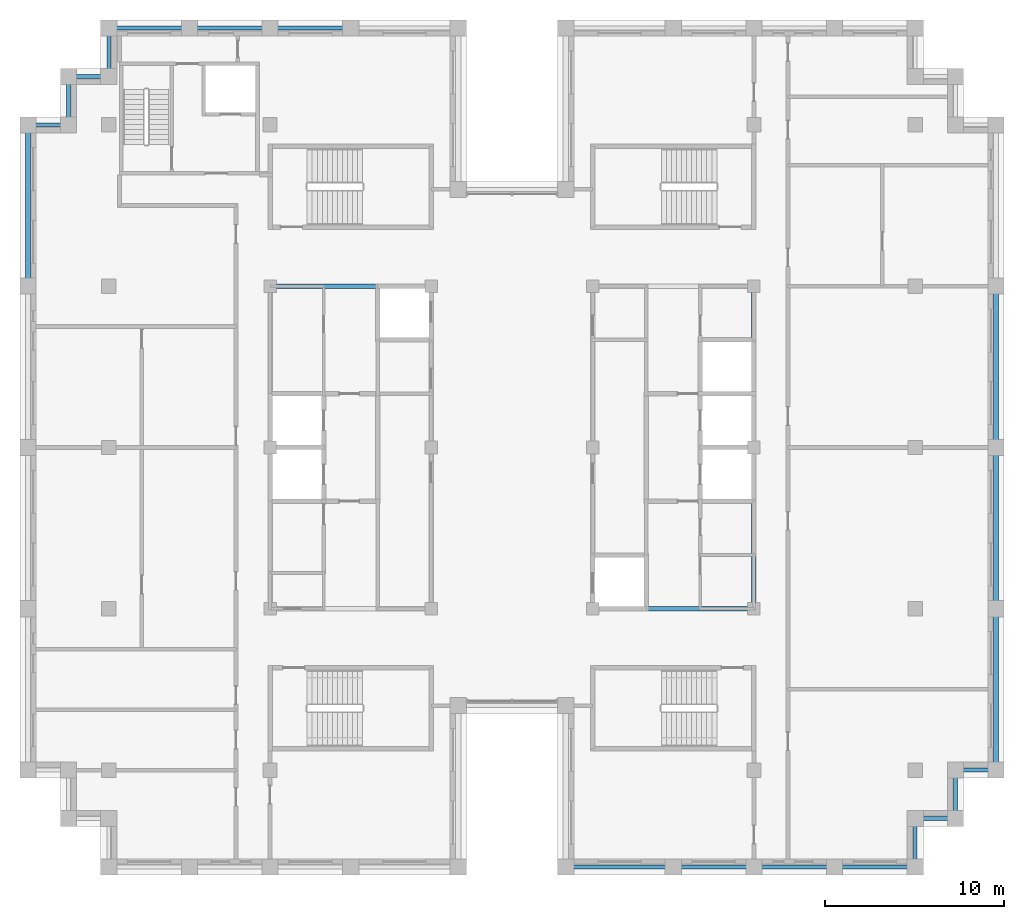
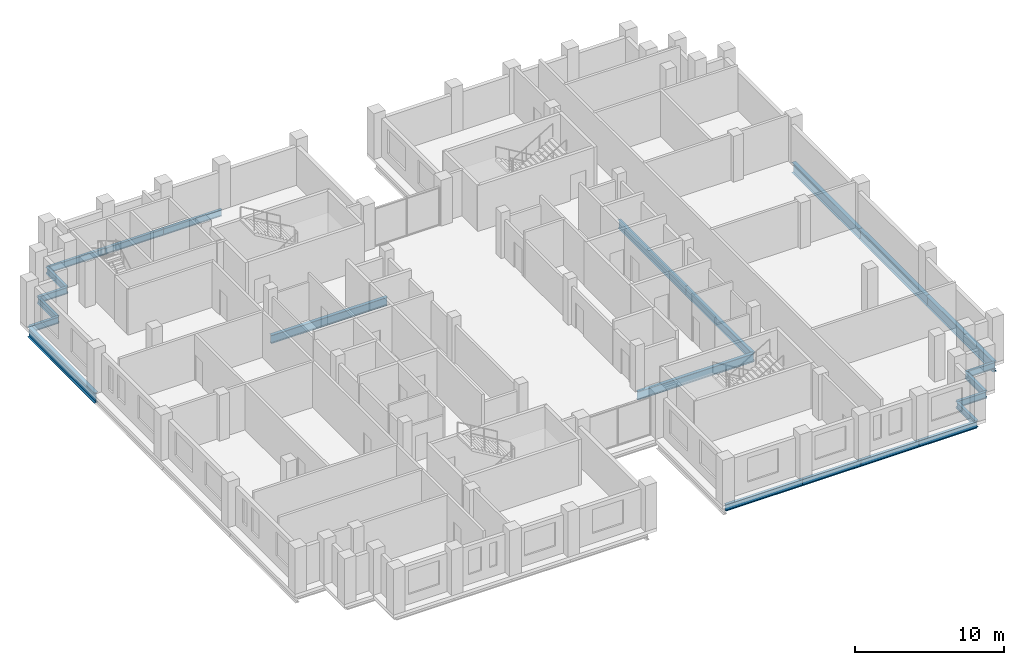
# One storey, part 3 of 13: 23 beams.
"""IFC4 building model written with IfcOpenShell, lengths in metres."""

from ifc_helpers import new_model, si_unit, direction, frame, origin, origin_2d, place, context, subcontext, project, spatial, i_section, extrude, material, material_profile, profile_set, type_object, element, save


model = new_model("IFC4")

# Units and contexts
model_context = context("Model", 3, precision=1e-05, world=origin(), true_north=direction((0.0, 1.0)))
body_context = subcontext(model_context, "Body", "Model", "MODEL_VIEW")
ifc_project = project(units=[si_unit("LENGTHUNIT", "METRE"), si_unit("AREAUNIT", "SQUARE_METRE"), si_unit("VOLUMEUNIT", "CUBIC_METRE"), si_unit("PLANEANGLEUNIT", "RADIAN"), si_unit("MASSUNIT", "GRAM", prefix="KILO")], contexts=[model_context])

# Site, building, storey
site_placement = place(None, origin())
site = spatial("IfcSite", under=ifc_project, at=site_placement, CompositionType="ELEMENT")
building_placement = place(site_placement, origin())
building = spatial("IfcBuilding", under=site, at=building_placement, Name="Corbelhall Arena Tower", CompositionType="ELEMENT")
storey_placement = place(building_placement, frame((0.0, 0.0, 308.0)))
storey = spatial("IfcBuildingStorey", under=building, at=storey_placement, Name="L67", CompositionType="ELEMENT", Elevation=308.0)

# Beams
ifc_material = material(Name="Steel ASTM A992 Gr50", Category="steel")
ifc_material_profile_1 = material_profile(ifc_material, i_section(OverallWidth=0.25390625, OverallDepth=0.67822265625, WebThickness=0.01171875, FlangeThickness=0.016357421875, at=origin_2d()))
ifc_profile_set_1 = profile_set([ifc_material_profile_1], Name="Steel ASTM A992 Gr50")
beam_type_1 = type_object("IfcBeamType", Name="ST-BEAM-W27x84", PredefinedType="BEAM", material=ifc_profile_set_1)
for number, where, z_axis, x_axis, name in (
    (1, (-13.5, 9.0, -0.59912109375), (1.0, 0.0, 0.0), (0.0, 1.0, 0.0), "Beam CEW 6"),
    (2, (13.5, -9.0, -0.59912109375), (0.0, 1.0, 0.0), (-1.0, 0.0, 0.0), "Beam CEE 9"),
    (3, (13.5, 0.0, -0.59912109375), (0.0, 1.0, 0.0), (-1.0, 0.0, 0.0), "Beam CEE 10"),
    (4, (4.5, -9.0, -0.59912109375), (1.0, 0.0, 0.0), (0.0, 1.0, 0.0), "Beam CEE 11"),
):
    element("IfcBeam", number, at=place(storey_placement, frame(where, z_axis=z_axis, x_axis=x_axis)), inside=storey, type_object=beam_type_1, Name=name, PredefinedType="BEAM", context=body_context, shape_type="SweptSolid", body=[
        extrude(i_section(OverallWidth=0.25390625, OverallDepth=0.67822265625, WebThickness=0.01171875, FlangeThickness=0.016357421875, at=origin_2d()), origin(), (0.0, 0.0, 1.0), 9.0),
    ])
ifc_material_profile_2 = material_profile(ifc_material, i_section(OverallWidth=0.209228515625, OverallDepth=0.533447265625, WebThickness=0.01025390625, FlangeThickness=0.015625, at=origin_2d()))
ifc_profile_set_2 = profile_set([ifc_material_profile_2], Name="Steel ASTM A992 Gr50")
beam_type_2 = type_object("IfcBeamType", Name="ST-SPANDREL-W21x62", PredefinedType="SPANDREL", material=ifc_profile_set_2)
beam_1_placement = place(storey_placement, frame((27.0, -18.0, -0.526611328125), z_axis=(-1.0, 0.0, 0.0), x_axis=(0.0, -1.0, 0.0)))
element("IfcBeam", 5, at=beam_1_placement, inside=storey, type_object=beam_type_2, Name="Beam SP 5", PredefinedType="SPANDREL", context=body_context, shape_type="SweptSolid", body=[
    extrude(i_section(OverallWidth=0.209228515625, OverallDepth=0.533447265625, WebThickness=0.01025390625, FlangeThickness=0.015625, at=origin_2d()), origin(), (0.0, 0.0, 1.0), 2.25),
])
for number, where, z_axis, x_axis, name in (
    (6, (-13.5, 23.39990234375, -0.526611328125), (1.0, 0.0, 0.0), (0.0, 1.0, 0.0), "Beam SP 13"),
    (7, (-18.0, 23.39990234375, -0.526611328125), (1.0, 0.0, 0.0), (0.0, 1.0, 0.0), "Beam SP 14"),
    (8, (-22.5, 23.39990234375, -0.526611328125), (1.0, 0.0, 0.0), (0.0, 1.0, 0.0), "Beam SP 15"),
):
    element("IfcBeam", number, at=place(storey_placement, frame(where, z_axis=z_axis, x_axis=x_axis)), inside=storey, type_object=beam_type_2, Name=name, PredefinedType="SPANDREL", context=body_context, shape_type="SweptSolid", body=[
        extrude(i_section(OverallWidth=0.209228515625, OverallDepth=0.533447265625, WebThickness=0.01025390625, FlangeThickness=0.015625, at=origin_2d()), origin(), (0.0, 0.0, 1.0), 4.5),
    ])
beam_2_placement = place(storey_placement, frame((9.0, -23.39990234375, -0.526611328125), z_axis=(-1.0, 0.0, 0.0), x_axis=(0.0, -1.0, 0.0)))
element("IfcBeam", 9, at=beam_2_placement, inside=storey, type_object=beam_type_2, Name="Beam SP 17", PredefinedType="SPANDREL", context=body_context, shape_type="SweptSolid", body=[
    extrude(i_section(OverallWidth=0.209228515625, OverallDepth=0.533447265625, WebThickness=0.01025390625, FlangeThickness=0.015625, at=origin_2d()), origin(), (0.0, 0.0, 1.0), 6.0),
])
for number, where, z_axis, x_axis, name in (
    (10, (13.5, -23.39990234375, -0.526611328125), (-1.0, 0.0, 0.0), (0.0, -1.0, 0.0), "Beam SP 18"),
    (11, (18.0, -23.39990234375, -0.526611328125), (-1.0, 0.0, 0.0), (0.0, -1.0, 0.0), "Beam SP 19"),
    (12, (22.5, -23.39990234375, -0.526611328125), (-1.0, 0.0, 0.0), (0.0, -1.0, 0.0), "Beam SP 20"),
):
    element("IfcBeam", number, at=place(storey_placement, frame(where, z_axis=z_axis, x_axis=x_axis)), inside=storey, type_object=beam_type_2, Name=name, PredefinedType="SPANDREL", context=body_context, shape_type="SweptSolid", body=[
        extrude(i_section(OverallWidth=0.209228515625, OverallDepth=0.533447265625, WebThickness=0.01025390625, FlangeThickness=0.015625, at=origin_2d()), origin(), (0.0, 0.0, 1.0), 4.5),
    ])
beam_3_placement = place(storey_placement, frame((-27.0, 18.0, -0.526611328125), z_axis=(1.0, 0.0, 0.0), x_axis=(0.0, 1.0, 0.0)))
element("IfcBeam", 13, at=beam_3_placement, inside=storey, type_object=beam_type_2, Name="Beam SP 28", PredefinedType="SPANDREL", context=body_context, shape_type="SweptSolid", body=[
    extrude(i_section(OverallWidth=0.209228515625, OverallDepth=0.533447265625, WebThickness=0.01025390625, FlangeThickness=0.015625, at=origin_2d()), origin(), (0.0, 0.0, 1.0), 2.25),
])
beam_4_placement = place(storey_placement, frame((-22.5, 20.699951171875, -0.526611328125), z_axis=(0.0, 1.0, 0.0), x_axis=(-1.0, 0.0, 0.0)))
element("IfcBeam", 14, at=beam_4_placement, inside=storey, type_object=beam_type_2, Name="Beam SP 38", PredefinedType="SPANDREL", context=body_context, shape_type="SweptSolid", body=[
    extrude(i_section(OverallWidth=0.209228515625, OverallDepth=0.533447265625, WebThickness=0.01025390625, FlangeThickness=0.015625, at=origin_2d()), origin(), (0.0, 0.0, 1.0), 2.699951171875),
])
beam_5_placement = place(storey_placement, frame((-24.75, 20.699951171875, -0.526611328125), z_axis=(1.0, 0.0, 0.0), x_axis=(0.0, 1.0, 0.0)))
element("IfcBeam", 15, at=beam_5_placement, inside=storey, type_object=beam_type_2, Name="Beam SP 39", PredefinedType="SPANDREL", context=body_context, shape_type="SweptSolid", body=[
    extrude(i_section(OverallWidth=0.209228515625, OverallDepth=0.533447265625, WebThickness=0.01025390625, FlangeThickness=0.015625, at=origin_2d()), origin(), (0.0, 0.0, 1.0), 2.25),
])
for number, where, z_axis, x_axis, name in (
    (16, (-24.75, 18.0, -0.526611328125), (0.0, 1.0, 0.0), (-1.0, 0.0, 0.0), "Beam SP 40"),
    (17, (22.5, -20.699951171875, -0.526611328125), (0.0, -1.0, 0.0), (1.0, 0.0, 0.0), "Beam SP 41"),
):
    element("IfcBeam", number, at=place(storey_placement, frame(where, z_axis=z_axis, x_axis=x_axis)), inside=storey, type_object=beam_type_2, Name=name, PredefinedType="SPANDREL", context=body_context, shape_type="SweptSolid", body=[
        extrude(i_section(OverallWidth=0.209228515625, OverallDepth=0.533447265625, WebThickness=0.01025390625, FlangeThickness=0.015625, at=origin_2d()), origin(), (0.0, 0.0, 1.0), 2.699951171875),
    ])
beam_6_placement = place(storey_placement, frame((24.75, -20.699951171875, -0.526611328125), z_axis=(-1.0, 0.0, 0.0), x_axis=(0.0, -1.0, 0.0)))
element("IfcBeam", 18, at=beam_6_placement, inside=storey, type_object=beam_type_2, Name="Beam SP 42", PredefinedType="SPANDREL", context=body_context, shape_type="SweptSolid", body=[
    extrude(i_section(OverallWidth=0.209228515625, OverallDepth=0.533447265625, WebThickness=0.01025390625, FlangeThickness=0.015625, at=origin_2d()), origin(), (0.0, 0.0, 1.0), 2.25),
])
beam_7_placement = place(storey_placement, frame((24.75, -18.0, -0.526611328125), z_axis=(0.0, -1.0, 0.0), x_axis=(1.0, 0.0, 0.0)))
element("IfcBeam", 19, at=beam_7_placement, inside=storey, type_object=beam_type_2, Name="Beam SP 43", PredefinedType="SPANDREL", context=body_context, shape_type="SweptSolid", body=[
    extrude(i_section(OverallWidth=0.209228515625, OverallDepth=0.533447265625, WebThickness=0.01025390625, FlangeThickness=0.015625, at=origin_2d()), origin(), (0.0, 0.0, 1.0), 2.699951171875),
])
ifc_material_profile_3 = material_profile(ifc_material, i_section(OverallWidth=0.2919921875, OverallDepth=0.845703125, WebThickness=0.015380859375, FlangeThickness=0.0244140625, at=origin_2d()))
ifc_profile_set_3 = profile_set([ifc_material_profile_3], Name="Steel ASTM A992 Gr50")
beam_type_3 = type_object("IfcBeamType", Name="ST-SPANDREL-W33x141", PredefinedType="SPANDREL", material=ifc_profile_set_3)
for number, where, z_axis, x_axis, name in (
    (20, (27.0, 0.0, -0.682861328125), (0.0, -1.0, 0.0), (1.0, 0.0, 0.0), "Beam SP 1"),
    (21, (27.0, 9.0, -0.682861328125), (0.0, -1.0, 0.0), (1.0, 0.0, 0.0), "Beam SP 2"),
    (22, (27.0, -9.0, -0.682861328125), (0.0, -1.0, 0.0), (1.0, 0.0, 0.0), "Beam SP 4"),
    (23, (-27.0, 9.0, -0.682861328125), (0.0, 1.0, 0.0), (-1.0, 0.0, 0.0), "Beam SP 27"),
):
    element("IfcBeam", number, at=place(storey_placement, frame(where, z_axis=z_axis, x_axis=x_axis)), inside=storey, type_object=beam_type_3, Name=name, PredefinedType="SPANDREL", context=body_context, shape_type="SweptSolid", body=[
        extrude(i_section(OverallWidth=0.2919921875, OverallDepth=0.845703125, WebThickness=0.015380859375, FlangeThickness=0.0244140625, at=origin_2d()), origin(), (0.0, 0.0, 1.0), 9.0),
    ])

save(model, "model.ifc")
